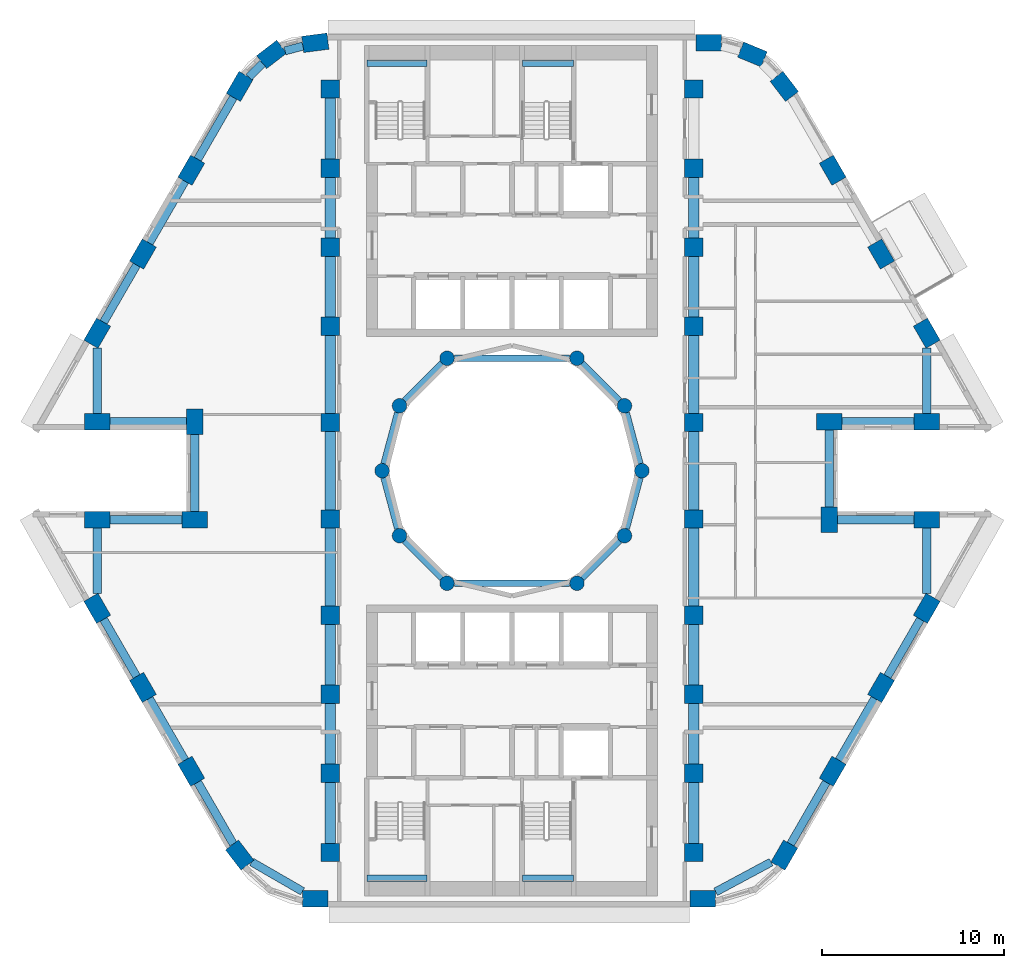
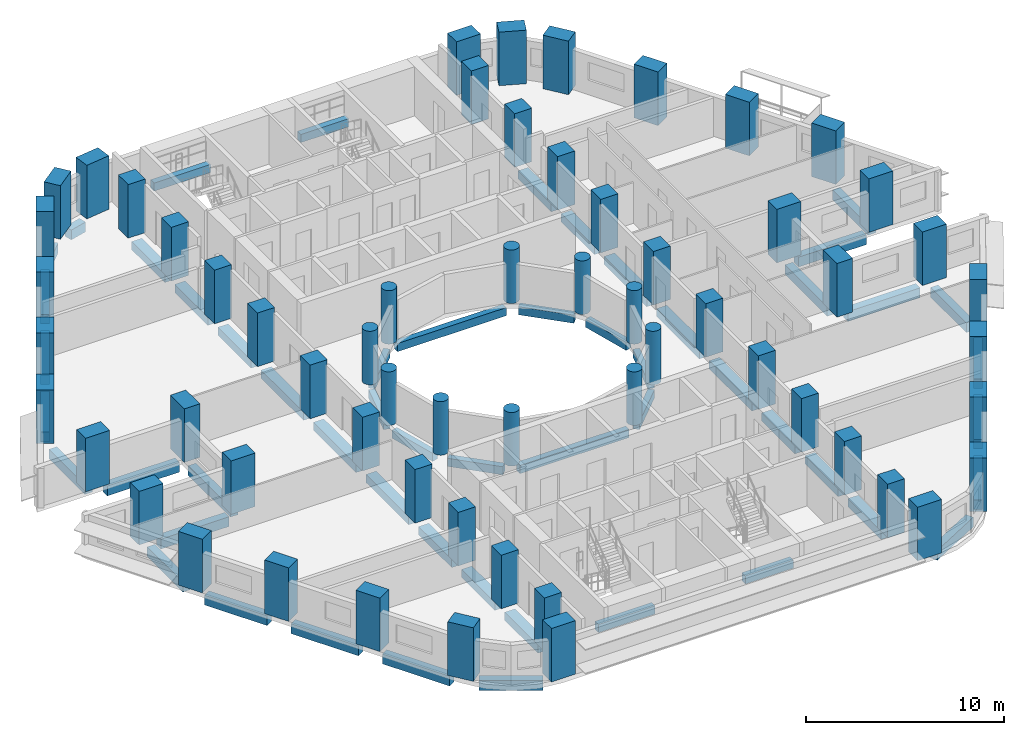
# One storey, part 1 of 13: 60 columns, 54 beams.
"""IFC4 building model written with IfcOpenShell, lengths in metres."""

from ifc_helpers import new_model, si_unit, direction, frame, origin, origin_2d, place, context, subcontext, project, spatial, rectangle, circle, extrude, material, material_profile, profile_set, type_object, element, save


model = new_model("IFC4")

# Units and contexts
model_context = context("Model", 3, precision=1e-05, world=origin(), true_north=direction((0.0, 1.0)))
body_context = subcontext(model_context, "Body", "Model", "MODEL_VIEW")
ifc_project = project(units=[si_unit("LENGTHUNIT", "METRE"), si_unit("AREAUNIT", "SQUARE_METRE"), si_unit("VOLUMEUNIT", "CUBIC_METRE"), si_unit("PLANEANGLEUNIT", "RADIAN"), si_unit("MASSUNIT", "GRAM", prefix="KILO")], contexts=[model_context])

# Site, building, storey
site_placement = place(None, origin())
site = spatial("IfcSite", under=ifc_project, at=site_placement, CompositionType="ELEMENT")
building_placement = place(site_placement, origin())
building = spatial("IfcBuilding", under=site, at=building_placement, Name="Nakaniwa Court", CompositionType="ELEMENT")
storey_placement = place(building_placement, frame((0.0, 0.0, 84.300048828125)))
storey = spatial("IfcBuildingStorey", under=building, at=storey_placement, Name="L21", CompositionType="ELEMENT", Elevation=84.300048828125)

# Columns
ifc_material = material(Name="Concrete C80/100", Category="concrete")
ifc_material_profile_1 = material_profile(ifc_material, rectangle(XDim=1.0, YDim=1.0, at=origin_2d()), Name="Concrete C80/100 RC 1000x1000 spine column")
ifc_profile_set_1 = profile_set([ifc_material_profile_1], Name="Concrete C80/100")
column_type_1 = type_object("IfcColumnType", Name="Concrete C80/100 RC 1000x1000 spine column", PredefinedType="COLUMN", material=ifc_profile_set_1)
for number, where, z_axis, x_axis, name in (
    (1, (90.0, 59.0, 0.0), (0.0, 0.0, 1.0), (0.0, 1.0, 0.0), "COLUMN CS-01"),
    (2, (90.0, 63.35009765625, 0.0), (0.0, 0.0, 1.0), (0.0, 1.0, 0.0), "COLUMN CS-02"),
    (3, (90.0, 67.699951171875, 0.0), (0.0, 0.0, 1.0), (0.0, 1.0, 0.0), "COLUMN CS-03"),
    (4, (90.0, 72.050048828125, 0.0), (0.0, 0.0, 1.0), (0.0, 1.0, 0.0), "COLUMN CS-04"),
    (5, (90.0, 77.35009765625, 0.0), (0.0, 0.0, 1.0), (0.0, 1.0, 0.0), "COLUMN CS-05"),
    (6, (90.0, 82.64990234375, 0.0), (0.0, 0.0, 1.0), (0.0, 1.0, 0.0), "COLUMN CS-06"),
    (7, (90.0, 87.949951171875, 0.0), (0.0, 0.0, 1.0), (0.0, 1.0, 0.0), "COLUMN CS-07"),
    (8, (90.0, 92.300048828125, 0.0), (0.0, 0.0, 1.0), (0.0, 1.0, 0.0), "COLUMN CS-08"),
    (9, (90.0, 96.64990234375, 0.0), (0.0, 0.0, 1.0), (0.0, 1.0, 0.0), "COLUMN CS-09"),
    (10, (90.0, 101.0, 0.0), (0.0, 0.0, 1.0), (0.0, 1.0, 0.0), "COLUMN CS-10"),
    (11, (70.0, 101.0, 0.0), (0.0, 0.0, 1.0), (0.0, -1.0, 0.0), "COLUMN CS-11"),
    (12, (70.0, 96.64990234375, 0.0), (0.0, 0.0, 1.0), (0.0, -1.0, 0.0), "COLUMN CS-12"),
    (13, (70.0, 92.300048828125, 0.0), (0.0, 0.0, 1.0), (0.0, -1.0, 0.0), "COLUMN CS-13"),
    (14, (70.0, 87.949951171875, 0.0), (0.0, 0.0, 1.0), (0.0, -1.0, 0.0), "COLUMN CS-14"),
    (15, (70.0, 82.64990234375, 0.0), (0.0, 0.0, 1.0), (0.0, -1.0, 0.0), "COLUMN CS-15"),
    (16, (70.0, 77.35009765625, 0.0), (0.0, 0.0, 1.0), (0.0, -1.0, 0.0), "COLUMN CS-16"),
    (17, (70.0, 72.050048828125, 0.0), (0.0, 0.0, 1.0), (0.0, -1.0, 0.0), "COLUMN CS-17"),
    (18, (70.0, 67.699951171875, 0.0), (0.0, 0.0, 1.0), (0.0, -1.0, 0.0), "COLUMN CS-18"),
    (19, (70.0, 63.35009765625, 0.0), (0.0, 0.0, 1.0), (0.0, -1.0, 0.0), "COLUMN CS-19"),
    (20, (70.0, 59.0, 0.0), (0.0, 0.0, 1.0), (0.0, -1.0, 0.0), "COLUMN CS-20"),
):
    element("IfcColumn", number, at=place(storey_placement, frame(where, z_axis=z_axis, x_axis=x_axis)), inside=storey, type_object=column_type_1, Name=name, PredefinedType="COLUMN", context=body_context, shape_type="SweptSolid", body=[
        extrude(rectangle(XDim=1.0, YDim=1.0, at=origin_2d()), origin(), (0.0, 0.0, 1.0), 3.300048828125),
    ])
ifc_material_profile_2 = material_profile(ifc_material, rectangle(XDim=1.39990234375, YDim=0.89990234375, at=origin_2d()), Name="Concrete C80/100 RC 1400x900 perimeter column")
ifc_profile_set_2 = profile_set([ifc_material_profile_2], Name="Concrete C80/100")
column_type_2 = type_object("IfcColumnType", Name="Concrete C80/100 RC 1400x900 perimeter column", PredefinedType="COLUMN", material=ifc_profile_set_2)
for number, where, z_axis, x_axis, name in (
    (21, (69.17529296875, 103.550048828125, 0.0), (0.0, 0.0, 1.0), (-0.991442583111, -0.130543496177, 0.0), "COLUMN CO-01"),
    (22, (66.772705078125, 102.91015625, 0.0), (0.0, 0.0, 1.0), (-0.793363965062, -0.608747582288, 0.0), "COLUMN CO-02"),
    (23, (65.017578125, 101.1494140625, 0.0), (0.0, 0.0, 1.0), (-0.5, -0.866025403784, 0.0), "COLUMN CO-03"),
    (24, (62.3544921875, 96.537109375, 0.0), (0.0, 0.0, 1.0), (-0.5, -0.866025403784, 0.0), "COLUMN CO-04"),
    (25, (59.691650390625, 91.9248046875, 0.0), (0.0, 0.0, 1.0), (-0.5, -0.866025403784, 0.0), "COLUMN CO-05"),
    (26, (57.177001953125, 87.569580078125, 0.0), (0.0, 0.0, 1.0), (-0.5, -0.866025403784, 0.0), "COLUMN CO-06"),
    (27, (57.177001953125, 82.699951171875, 0.0), (0.0, 0.0, 1.0), (1.0, 0.0, 0.0), "COLUMN CO-08"),
    (28, (62.54150390625, 82.699951171875, 0.0), (0.0, 0.0, 1.0), (0.0, -1.0, 0.0), "COLUMN CO-09"),
    (29, (62.54150390625, 77.300048828125, 0.0), (0.0, 0.0, 1.0), (-1.0, 0.0, 0.0), "COLUMN CO-10"),
    (30, (57.177001953125, 77.300048828125, 0.0), (0.0, 0.0, 1.0), (-1.0, 0.0, 0.0), "COLUMN CO-11"),
    (31, (57.177001953125, 72.430419921875, 0.0), (0.0, 0.0, 1.0), (0.5, -0.866025403784, 0.0), "COLUMN CO-13"),
    (32, (59.691650390625, 68.0751953125, 0.0), (0.0, 0.0, 1.0), (0.5, -0.866025403784, 0.0), "COLUMN CO-14"),
    (33, (62.3544921875, 63.462890625, 0.0), (0.0, 0.0, 1.0), (0.5, -0.866025403784, 0.0), "COLUMN CO-15"),
    (34, (65.017578125, 58.8505859375, 0.0), (0.0, 0.0, 1.0), (0.608761429009, -0.793353340291, 0.0), "COLUMN CO-16"),
    (35, (69.17529296875, 56.449951171875, 0.0), (0.0, 0.0, 1.0), (1.0, 0.0, 0.0), "COLUMN CO-17"),
    (36, (90.507080078125, 56.449951171875, 0.0), (0.0, 0.0, 1.0), (1.0, 0.0, 0.0), "COLUMN CO-21"),
    (37, (94.982421875, 58.8505859375, 0.0), (0.0, 0.0, 1.0), (0.5, 0.866025403784, 0.0), "COLUMN CO-22"),
    (38, (97.6455078125, 63.462890625, 0.0), (0.0, 0.0, 1.0), (0.5, 0.866025403784, 0.0), "COLUMN CO-23"),
    (39, (100.308349609375, 68.0751953125, 0.0), (0.0, 0.0, 1.0), (0.5, 0.866025403784, 0.0), "COLUMN CO-24"),
    (40, (102.822998046875, 72.430419921875, 0.0), (0.0, 0.0, 1.0), (0.5, 0.866025403784, 0.0), "COLUMN CO-25"),
    (41, (102.822998046875, 77.300048828125, 0.0), (0.0, 0.0, 1.0), (-1.0, 0.0, 0.0), "COLUMN CO-27"),
    (42, (97.45849609375, 77.300048828125, 0.0), (0.0, 0.0, 1.0), (0.0, 1.0, 0.0), "COLUMN CO-28"),
    (43, (97.45849609375, 82.699951171875, 0.0), (0.0, 0.0, 1.0), (1.0, 0.0, 0.0), "COLUMN CO-29"),
    (44, (102.822998046875, 82.699951171875, 0.0), (0.0, 0.0, 1.0), (1.0, 0.0, 0.0), "COLUMN CO-30"),
    (45, (102.822998046875, 87.569580078125, 0.0), (0.0, 0.0, 1.0), (-0.5, 0.866025403784, 0.0), "COLUMN CO-32"),
    (46, (100.308349609375, 91.9248046875, 0.0), (0.0, 0.0, 1.0), (-0.5, 0.866025403784, 0.0), "COLUMN CO-33"),
    (47, (97.6455078125, 96.537109375, 0.0), (0.0, 0.0, 1.0), (-0.5, 0.866025403784, 0.0), "COLUMN CO-34"),
    (48, (94.982421875, 101.1494140625, 0.0), (0.0, 0.0, 1.0), (-0.608761429009, 0.793353340291, 0.0), "COLUMN CO-35"),
    (49, (93.227294921875, 102.91015625, 0.0), (0.0, 0.0, 1.0), (-0.923879532511, 0.382683432365, 0.0), "COLUMN CO-36"),
    (50, (90.82470703125, 103.550048828125, 0.0), (0.0, 0.0, 1.0), (-1.0, 0.0, 0.0), "COLUMN CO-37"),
):
    element("IfcColumn", number, at=place(storey_placement, frame(where, z_axis=z_axis, x_axis=x_axis)), inside=storey, type_object=column_type_2, Name=name, PredefinedType="COLUMN", context=body_context, shape_type="SweptSolid", body=[
        extrude(rectangle(XDim=1.39990234375, YDim=0.89990234375, at=origin_2d()), origin(), (0.0, 0.0, 1.0), 3.300048828125),
    ])
ifc_material_profile_3 = material_profile(ifc_material, circle(Radius=0.39990234375, at=origin_2d()), Name="Concrete C80/100 RC D800 inner ring column")
ifc_profile_set_3 = profile_set([ifc_material_profile_3], Name="Concrete C80/100")
column_type_3 = type_object("IfcColumnType", Name="Concrete C80/100 RC D800 inner ring column", PredefinedType="COLUMN", material=ifc_profile_set_3)
for number, where, z_axis, x_axis, name in (
    (51, (87.14990234375, 80.0, 0.0), (0.0, 0.0, 1.0), (0.0, 1.0, 0.0), "COLUMN CI-01"),
    (52, (86.192138671875, 83.574951171875, 0.0), (0.0, 0.0, 1.0), (-0.5, 0.866025403784, 0.0), "COLUMN CI-02"),
    (53, (83.574951171875, 86.192138671875, 0.0), (0.0, 0.0, 1.0), (-0.866025403784, 0.5, 0.0), "COLUMN CI-03"),
    (54, (76.425048828125, 86.192138671875, 0.0), (0.0, 0.0, 1.0), (-0.866025403784, -0.5, 0.0), "COLUMN CI-05"),
    (55, (73.807861328125, 83.574951171875, 0.0), (0.0, 0.0, 1.0), (-0.5, -0.866025403784, 0.0), "COLUMN CI-06"),
    (56, (72.85009765625, 80.0, 0.0), (0.0, 0.0, 1.0), (0.0, -1.0, 0.0), "COLUMN CI-07"),
    (57, (73.807861328125, 76.425048828125, 0.0), (0.0, 0.0, 1.0), (0.5, -0.866025403784, 0.0), "COLUMN CI-08"),
    (58, (76.425048828125, 73.807861328125, 0.0), (0.0, 0.0, 1.0), (0.866025403784, -0.5, 0.0), "COLUMN CI-09"),
    (59, (83.574951171875, 73.807861328125, 0.0), (0.0, 0.0, 1.0), (0.866025403784, 0.5, 0.0), "COLUMN CI-11"),
    (60, (86.192138671875, 76.425048828125, 0.0), (0.0, 0.0, 1.0), (0.5, 0.866025403784, 0.0), "COLUMN CI-12"),
):
    element("IfcColumn", number, at=place(storey_placement, frame(where, z_axis=z_axis, x_axis=x_axis)), inside=storey, type_object=column_type_3, Name=name, PredefinedType="COLUMN", context=body_context, shape_type="SweptSolid", body=[
        extrude(circle(Radius=0.39990234375, at=origin_2d()), origin(), (0.0, 0.0, 1.0), 3.300048828125),
    ])

# Beams
ifc_material_profile_4 = material_profile(ifc_material, rectangle(XDim=0.35009765625, YDim=0.5, at=origin_2d()), Name="Concrete C80/100 RC 350x500 landing ledge beam")
ifc_profile_set_4 = profile_set([ifc_material_profile_4], Name="Concrete C80/100")
beam_type_1 = type_object("IfcBeamType", Name="Concrete C80/100 RC 350x500 landing ledge beam", PredefinedType="BEAM", material=ifc_profile_set_4)
beam_1_placement = place(storey_placement, frame((72.02490234375, 102.425048828125, 1.199951171875), z_axis=(1.0, 0.0, 0.0), x_axis=(0.0, 1.0, 0.0)))
element("IfcBeam", 61, at=beam_1_placement, inside=storey, type_object=beam_type_1, Name="LANDING LEDGE BEAM", PredefinedType="BEAM", context=body_context, shape_type="SweptSolid", body=[
    extrude(rectangle(XDim=0.35009765625, YDim=0.5, at=origin_2d()), origin(), (0.0, 0.0, 1.0), 3.300048828125),
])
beam_2_placement = place(storey_placement, frame((80.574951171875, 102.425048828125, 1.199951171875), z_axis=(1.0, 0.0, 0.0), x_axis=(0.0, 1.0, 0.0)))
element("IfcBeam", 62, at=beam_2_placement, inside=storey, type_object=beam_type_1, Name="LANDING LEDGE BEAM", PredefinedType="BEAM", context=body_context, shape_type="SweptSolid", body=[
    extrude(rectangle(XDim=0.35009765625, YDim=0.5, at=origin_2d()), origin(), (0.0, 0.0, 1.0), 2.800048828125),
])
beam_3_placement = place(storey_placement, frame((72.02490234375, 57.574951171875, 1.199951171875), z_axis=(1.0, 0.0, 0.0), x_axis=(0.0, 1.0, 0.0)))
element("IfcBeam", 63, at=beam_3_placement, inside=storey, type_object=beam_type_1, Name="LANDING LEDGE BEAM", PredefinedType="BEAM", context=body_context, shape_type="SweptSolid", body=[
    extrude(rectangle(XDim=0.35009765625, YDim=0.5, at=origin_2d()), origin(), (0.0, 0.0, 1.0), 3.300048828125),
])
beam_4_placement = place(storey_placement, frame((80.574951171875, 57.574951171875, 1.199951171875), z_axis=(1.0, 0.0, 0.0), x_axis=(0.0, 1.0, 0.0)))
element("IfcBeam", 64, at=beam_4_placement, inside=storey, type_object=beam_type_1, Name="LANDING LEDGE BEAM", PredefinedType="BEAM", context=body_context, shape_type="SweptSolid", body=[
    extrude(rectangle(XDim=0.35009765625, YDim=0.5, at=origin_2d()), origin(), (0.0, 0.0, 1.0), 2.800048828125),
])
ifc_material_profile_5 = material_profile(ifc_material, rectangle(XDim=0.35009765625, YDim=0.5, at=origin_2d()), Name="Concrete C80/100 RC 350x500 ring beam")
ifc_profile_set_5 = profile_set([ifc_material_profile_5], Name="Concrete C80/100")
beam_type_2 = type_object("IfcBeamType", Name="Concrete C80/100 RC 350x500 ring beam", PredefinedType="BEAM", material=ifc_profile_set_5)
beam_5_placement = place(storey_placement, frame((87.04638671875, 80.386474609375, -0.525146484375), z_axis=(-0.258778150207, 0.965936783115, 0.0), x_axis=(-0.965936783115, -0.258778150207, 0.0)))
element("IfcBeam", 65, at=beam_5_placement, inside=storey, type_object=beam_type_2, Name="RING BEAM", PredefinedType="BEAM", context=body_context, shape_type="SweptSolid", body=[
    extrude(rectangle(XDim=0.35009765625, YDim=0.5, at=origin_2d()), origin(), (0.0, 0.0, 1.0), 2.901123046875),
])
beam_6_placement = place(storey_placement, frame((85.9091796875, 83.85791015625, -0.525146484375), z_axis=(-0.707106781187, 0.707106781187, 0.0), x_axis=(-0.707106781187, -0.707106781187, 0.0)))
element("IfcBeam", 66, at=beam_6_placement, inside=storey, type_object=beam_type_2, Name="RING BEAM", PredefinedType="BEAM", context=body_context, shape_type="SweptSolid", body=[
    extrude(rectangle(XDim=0.35009765625, YDim=0.5, at=origin_2d()), origin(), (0.0, 0.0, 1.0), 2.90087890625),
])
beam_7_placement = place(storey_placement, frame((83.175048828125, 86.192138671875, -0.525146484375), z_axis=(-1.0, 0.0, 0.0), x_axis=(0.0, -1.0, 0.0)))
element("IfcBeam", 67, at=beam_7_placement, inside=storey, type_object=beam_type_2, Name="RING BEAM", PredefinedType="BEAM", context=body_context, shape_type="SweptSolid", body=[
    extrude(rectangle(XDim=0.35009765625, YDim=0.5, at=origin_2d()), origin(), (0.0, 0.0, 1.0), 6.35009765625),
])
beam_8_placement = place(storey_placement, frame((76.14208984375, 85.9091796875, -0.525146484375), z_axis=(-0.707106781187, -0.707106781187, 0.0), x_axis=(0.707106781187, -0.707106781187, 0.0)))
element("IfcBeam", 68, at=beam_8_placement, inside=storey, type_object=beam_type_2, Name="RING BEAM", PredefinedType="BEAM", context=body_context, shape_type="SweptSolid", body=[
    extrude(rectangle(XDim=0.35009765625, YDim=0.5, at=origin_2d()), origin(), (0.0, 0.0, 1.0), 2.90087890625),
])
for number, where, z_axis, x_axis, name in (
    (69, (73.704345703125, 83.188720703125, -0.525146484375), (-0.258778150207, -0.965936783115, 0.0), (0.965936783115, -0.258778150207, 0.0), "RING BEAM"),
    (70, (72.95361328125, 79.613525390625, -0.525146484375), (0.258778150207, -0.965936783115, 0.0), (0.965936783115, 0.258778150207, 0.0), "RING BEAM"),
):
    element("IfcBeam", number, at=place(storey_placement, frame(where, z_axis=z_axis, x_axis=x_axis)), inside=storey, type_object=beam_type_2, Name=name, PredefinedType="BEAM", context=body_context, shape_type="SweptSolid", body=[
        extrude(rectangle(XDim=0.35009765625, YDim=0.5, at=origin_2d()), origin(), (0.0, 0.0, 1.0), 2.901123046875),
    ])
beam_9_placement = place(storey_placement, frame((74.0908203125, 76.14208984375, -0.525146484375), z_axis=(0.707106781187, -0.707106781187, 0.0), x_axis=(0.707106781187, 0.707106781187, 0.0)))
element("IfcBeam", 71, at=beam_9_placement, inside=storey, type_object=beam_type_2, Name="RING BEAM", PredefinedType="BEAM", context=body_context, shape_type="SweptSolid", body=[
    extrude(rectangle(XDim=0.35009765625, YDim=0.5, at=origin_2d()), origin(), (0.0, 0.0, 1.0), 2.90087890625),
])
beam_10_placement = place(storey_placement, frame((76.824951171875, 73.807861328125, -0.525146484375), z_axis=(1.0, 0.0, 0.0), x_axis=(0.0, 1.0, 0.0)))
element("IfcBeam", 72, at=beam_10_placement, inside=storey, type_object=beam_type_2, Name="RING BEAM", PredefinedType="BEAM", context=body_context, shape_type="SweptSolid", body=[
    extrude(rectangle(XDim=0.35009765625, YDim=0.5, at=origin_2d()), origin(), (0.0, 0.0, 1.0), 6.35009765625),
])
beam_11_placement = place(storey_placement, frame((83.85791015625, 74.0908203125, -0.525146484375), z_axis=(0.707106781187, 0.707106781187, 0.0), x_axis=(-0.707106781187, 0.707106781187, 0.0)))
element("IfcBeam", 73, at=beam_11_placement, inside=storey, type_object=beam_type_2, Name="RING BEAM", PredefinedType="BEAM", context=body_context, shape_type="SweptSolid", body=[
    extrude(rectangle(XDim=0.35009765625, YDim=0.5, at=origin_2d()), origin(), (0.0, 0.0, 1.0), 2.90087890625),
])
beam_12_placement = place(storey_placement, frame((86.295654296875, 76.811279296875, -0.525146484375), z_axis=(0.258778150207, 0.965936783115, 0.0), x_axis=(-0.965936783115, 0.258778150207, 0.0)))
element("IfcBeam", 74, at=beam_12_placement, inside=storey, type_object=beam_type_2, Name="RING BEAM", PredefinedType="BEAM", context=body_context, shape_type="SweptSolid", body=[
    extrude(rectangle(XDim=0.35009765625, YDim=0.5, at=origin_2d()), origin(), (0.0, 0.0, 1.0), 2.901123046875),
])
ifc_material_profile_6 = material_profile(ifc_material, rectangle(XDim=0.449951171875, YDim=0.60009765625, at=origin_2d()), Name="Concrete C80/100 RC 450x600 spandrel beam")
ifc_profile_set_6 = profile_set([ifc_material_profile_6], Name="Concrete C80/100")
beam_type_3 = type_object("IfcBeamType", Name="Concrete C80/100 RC 450x600 spandrel beam", PredefinedType="BEAM", material=ifc_profile_set_6)
beam_13_placement = place(storey_placement, frame((68.4931640625, 103.368408203125, -0.574951171875), z_axis=(-0.966290412053, -0.257454538851, 0.0), x_axis=(0.257454538851, -0.966290412053, 0.0)))
element("IfcBeam", 75, at=beam_13_placement, inside=storey, type_object=beam_type_3, Name="SPANDREL BEAM", PredefinedType="BEAM", context=body_context, shape_type="SweptSolid", body=[
    extrude(rectangle(XDim=0.449951171875, YDim=0.60009765625, at=origin_2d()), origin(), (0.0, 0.0, 1.0), 1.022216796875),
])
beam_14_placement = place(storey_placement, frame((66.274169921875, 102.41015625, -0.574951171875), z_axis=(-0.70606530329, -0.708146727374, 0.0), x_axis=(0.708146727374, -0.70606530329, 0.0)))
element("IfcBeam", 76, at=beam_14_placement, inside=storey, type_object=beam_type_3, Name="SPANDREL BEAM", PredefinedType="BEAM", context=body_context, shape_type="SweptSolid", body=[
    extrude(rectangle(XDim=0.449951171875, YDim=0.60009765625, at=origin_2d()), origin(), (0.0, 0.0, 1.0), 1.0556640625),
])
for number, where, z_axis, x_axis, name in (
    (77, (64.66748046875, 100.543212890625, -0.574951171875), (-0.49999161165, -0.866030246746, 0.0), (0.866030246746, -0.49999161165, 0.0), "SPANDREL BEAM"),
    (78, (62.00439453125, 95.930908203125, -0.574951171875), (-0.49999161165, -0.866030246746, 0.0), (0.866030246746, -0.49999161165, 0.0), "SPANDREL BEAM"),
):
    element("IfcBeam", number, at=place(storey_placement, frame(where, z_axis=z_axis, x_axis=x_axis)), inside=storey, type_object=beam_type_3, Name=name, PredefinedType="BEAM", context=body_context, shape_type="SweptSolid", body=[
        extrude(rectangle(XDim=0.449951171875, YDim=0.60009765625, at=origin_2d()), origin(), (0.0, 0.0, 1.0), 3.92578125),
    ])
beam_15_placement = place(storey_placement, frame((59.341552734375, 91.318603515625, -0.574951171875), z_axis=(-0.499988394233, -0.866032104273, 0.0), x_axis=(0.866032104273, -0.499988394233, 0.0)))
element("IfcBeam", 79, at=beam_15_placement, inside=storey, type_object=beam_type_3, Name="SPANDREL BEAM", PredefinedType="BEAM", context=body_context, shape_type="SweptSolid", body=[
    extrude(rectangle(XDim=0.449951171875, YDim=0.60009765625, at=origin_2d()), origin(), (0.0, 0.0, 1.0), 3.62890625),
])
beam_16_placement = place(storey_placement, frame((57.177001953125, 86.761474609375, -0.574951171875), z_axis=(0.0, -1.0, 0.0), x_axis=(1.0, 0.0, 0.0)))
element("IfcBeam", 80, at=beam_16_placement, inside=storey, type_object=beam_type_3, Name="SPANDREL BEAM", PredefinedType="BEAM", context=body_context, shape_type="SweptSolid", body=[
    extrude(rectangle(XDim=0.449951171875, YDim=0.60009765625, at=origin_2d()), origin(), (0.0, 0.0, 1.0), 3.611572265625),
])
beam_17_placement = place(storey_placement, frame((57.877197265625, 82.699951171875, -0.574951171875), z_axis=(1.0, 0.0, 0.0), x_axis=(0.0, 1.0, 0.0)))
element("IfcBeam", 81, at=beam_17_placement, inside=storey, type_object=beam_type_3, Name="SPANDREL BEAM", PredefinedType="BEAM", context=body_context, shape_type="SweptSolid", body=[
    extrude(rectangle(XDim=0.449951171875, YDim=0.60009765625, at=origin_2d()), origin(), (0.0, 0.0, 1.0), 4.21435546875),
])
beam_18_placement = place(storey_placement, frame((62.54150390625, 82.0, -0.574951171875), z_axis=(0.0, -1.0, 0.0), x_axis=(1.0, 0.0, 0.0)))
element("IfcBeam", 82, at=beam_18_placement, inside=storey, type_object=beam_type_3, Name="SPANDREL BEAM", PredefinedType="BEAM", context=body_context, shape_type="SweptSolid", body=[
    extrude(rectangle(XDim=0.449951171875, YDim=0.60009765625, at=origin_2d()), origin(), (0.0, 0.0, 1.0), 4.25),
])
beam_19_placement = place(storey_placement, frame((61.841552734375, 77.300048828125, -0.574951171875), z_axis=(-1.0, 0.0, 0.0), x_axis=(0.0, -1.0, 0.0)))
element("IfcBeam", 83, at=beam_19_placement, inside=storey, type_object=beam_type_3, Name="SPANDREL BEAM", PredefinedType="BEAM", context=body_context, shape_type="SweptSolid", body=[
    extrude(rectangle(XDim=0.449951171875, YDim=0.60009765625, at=origin_2d()), origin(), (0.0, 0.0, 1.0), 3.96435546875),
])
beam_20_placement = place(storey_placement, frame((57.177001953125, 76.85009765625, -0.574951171875), z_axis=(0.0, -1.0, 0.0), x_axis=(1.0, 0.0, 0.0)))
element("IfcBeam", 84, at=beam_20_placement, inside=storey, type_object=beam_type_3, Name="SPANDREL BEAM", PredefinedType="BEAM", context=body_context, shape_type="SweptSolid", body=[
    extrude(rectangle(XDim=0.449951171875, YDim=0.60009765625, at=origin_2d()), origin(), (0.0, 0.0, 1.0), 3.611572265625),
])
beam_21_placement = place(storey_placement, frame((57.527099609375, 71.82421875, -0.574951171875), z_axis=(0.499988394233, -0.866032104273, 0.0), x_axis=(0.866032104273, 0.499988394233, 0.0)))
element("IfcBeam", 85, at=beam_21_placement, inside=storey, type_object=beam_type_3, Name="SPANDREL BEAM", PredefinedType="BEAM", context=body_context, shape_type="SweptSolid", body=[
    extrude(rectangle(XDim=0.449951171875, YDim=0.60009765625, at=origin_2d()), origin(), (0.0, 0.0, 1.0), 3.62890625),
])
beam_22_placement = place(storey_placement, frame((60.04150390625, 67.468994140625, -0.574951171875), z_axis=(0.49999161165, -0.866030246746, 0.0), x_axis=(0.866030246746, 0.49999161165, 0.0)))
element("IfcBeam", 86, at=beam_22_placement, inside=storey, type_object=beam_type_3, Name="SPANDREL BEAM", PredefinedType="BEAM", context=body_context, shape_type="SweptSolid", body=[
    extrude(rectangle(XDim=0.449951171875, YDim=0.60009765625, at=origin_2d()), origin(), (0.0, 0.0, 1.0), 3.92578125),
])
beam_23_placement = place(storey_placement, frame((62.70458984375, 62.856689453125, -0.574951171875), z_axis=(0.499997407846, -0.86602690036, 0.0), x_axis=(0.86602690036, 0.499997407846, 0.0)))
element("IfcBeam", 87, at=beam_23_placement, inside=storey, type_object=beam_type_3, Name="SPANDREL BEAM", PredefinedType="BEAM", context=body_context, shape_type="SweptSolid", body=[
    extrude(rectangle(XDim=0.449951171875, YDim=0.60009765625, at=origin_2d()), origin(), (0.0, 0.0, 1.0), 3.919921875),
])
beam_24_placement = place(storey_placement, frame((65.673583984375, 58.4716796875, -0.574951171875), z_axis=(0.866014675542, -0.5000185814, 0.0), x_axis=(0.5000185814, 0.866014675542, 0.0)))
element("IfcBeam", 88, at=beam_24_placement, inside=storey, type_object=beam_type_3, Name="SPANDREL BEAM", PredefinedType="BEAM", context=body_context, shape_type="SweptSolid", body=[
    extrude(rectangle(XDim=0.449951171875, YDim=0.60009765625, at=origin_2d()), origin(), (0.0, 0.0, 1.0), 3.2353515625),
])
beam_25_placement = place(storey_placement, frame((91.20703125, 56.825439453125, -0.574951171875), z_axis=(0.881233381314, 0.472681423009, 0.0), x_axis=(-0.472681423009, 0.881233381314, 0.0)))
element("IfcBeam", 89, at=beam_25_placement, inside=storey, type_object=beam_type_3, Name="SPANDREL BEAM", PredefinedType="BEAM", context=body_context, shape_type="SweptSolid", body=[
    extrude(rectangle(XDim=0.449951171875, YDim=0.60009765625, at=origin_2d()), origin(), (0.0, 0.0, 1.0), 3.46044921875),
])
for number, where, z_axis, x_axis, name in (
    (90, (95.33251953125, 59.456787109375, -0.574951171875), (0.49999161165, 0.866030246746, 0.0), (-0.866030246746, 0.49999161165, 0.0), "SPANDREL BEAM"),
    (91, (97.99560546875, 64.069091796875, -0.574951171875), (0.49999161165, 0.866030246746, 0.0), (-0.866030246746, 0.49999161165, 0.0), "SPANDREL BEAM"),
):
    element("IfcBeam", number, at=place(storey_placement, frame(where, z_axis=z_axis, x_axis=x_axis)), inside=storey, type_object=beam_type_3, Name=name, PredefinedType="BEAM", context=body_context, shape_type="SweptSolid", body=[
        extrude(rectangle(XDim=0.449951171875, YDim=0.60009765625, at=origin_2d()), origin(), (0.0, 0.0, 1.0), 3.92578125),
    ])
beam_26_placement = place(storey_placement, frame((100.658447265625, 68.681396484375, -0.574951171875), z_axis=(0.499988394233, 0.866032104273, 0.0), x_axis=(-0.866032104273, 0.499988394233, 0.0)))
element("IfcBeam", 92, at=beam_26_placement, inside=storey, type_object=beam_type_3, Name="SPANDREL BEAM", PredefinedType="BEAM", context=body_context, shape_type="SweptSolid", body=[
    extrude(rectangle(XDim=0.449951171875, YDim=0.60009765625, at=origin_2d()), origin(), (0.0, 0.0, 1.0), 3.62890625),
])
beam_27_placement = place(storey_placement, frame((102.822998046875, 73.238525390625, -0.574951171875), z_axis=(0.0, 1.0, 0.0), x_axis=(-1.0, 0.0, 0.0)))
element("IfcBeam", 93, at=beam_27_placement, inside=storey, type_object=beam_type_3, Name="SPANDREL BEAM", PredefinedType="BEAM", context=body_context, shape_type="SweptSolid", body=[
    extrude(rectangle(XDim=0.449951171875, YDim=0.60009765625, at=origin_2d()), origin(), (0.0, 0.0, 1.0), 3.611572265625),
])
beam_28_placement = place(storey_placement, frame((102.122802734375, 77.300048828125, -0.574951171875), z_axis=(-1.0, 0.0, 0.0), x_axis=(0.0, -1.0, 0.0)))
element("IfcBeam", 94, at=beam_28_placement, inside=storey, type_object=beam_type_3, Name="SPANDREL BEAM", PredefinedType="BEAM", context=body_context, shape_type="SweptSolid", body=[
    extrude(rectangle(XDim=0.449951171875, YDim=0.60009765625, at=origin_2d()), origin(), (0.0, 0.0, 1.0), 4.21435546875),
])
beam_29_placement = place(storey_placement, frame((97.45849609375, 78.0, -0.574951171875), z_axis=(0.0, 1.0, 0.0), x_axis=(-1.0, 0.0, 0.0)))
element("IfcBeam", 95, at=beam_29_placement, inside=storey, type_object=beam_type_3, Name="SPANDREL BEAM", PredefinedType="BEAM", context=body_context, shape_type="SweptSolid", body=[
    extrude(rectangle(XDim=0.449951171875, YDim=0.60009765625, at=origin_2d()), origin(), (0.0, 0.0, 1.0), 4.25),
])
beam_30_placement = place(storey_placement, frame((98.158447265625, 82.699951171875, -0.574951171875), z_axis=(1.0, 0.0, 0.0), x_axis=(0.0, 1.0, 0.0)))
element("IfcBeam", 96, at=beam_30_placement, inside=storey, type_object=beam_type_3, Name="SPANDREL BEAM", PredefinedType="BEAM", context=body_context, shape_type="SweptSolid", body=[
    extrude(rectangle(XDim=0.449951171875, YDim=0.60009765625, at=origin_2d()), origin(), (0.0, 0.0, 1.0), 3.96435546875),
])
beam_31_placement = place(storey_placement, frame((102.822998046875, 83.14990234375, -0.574951171875), z_axis=(0.0, 1.0, 0.0), x_axis=(-1.0, 0.0, 0.0)))
element("IfcBeam", 97, at=beam_31_placement, inside=storey, type_object=beam_type_3, Name="SPANDREL BEAM", PredefinedType="BEAM", context=body_context, shape_type="SweptSolid", body=[
    extrude(rectangle(XDim=0.449951171875, YDim=0.60009765625, at=origin_2d()), origin(), (0.0, 0.0, 1.0), 3.611572265625),
])
ifc_material_profile_7 = material_profile(ifc_material, rectangle(XDim=0.60009765625, YDim=0.5, at=origin_2d()), Name="Concrete C80/100 RC 600x500 ring beam")
ifc_profile_set_7 = profile_set([ifc_material_profile_7], Name="Concrete C80/100")
beam_type_4 = type_object("IfcBeamType", Name="Concrete C80/100 RC 600x500 ring beam", PredefinedType="BEAM", material=ifc_profile_set_7)
beam_32_placement = place(storey_placement, frame((90.0, 59.5, -0.525146484375), z_axis=(0.0, 1.0, 0.0), x_axis=(-1.0, 0.0, 0.0)))
element("IfcBeam", 98, at=beam_32_placement, inside=storey, type_object=beam_type_4, Name="RING BEAM", PredefinedType="BEAM", context=body_context, shape_type="SweptSolid", body=[
    extrude(rectangle(XDim=0.60009765625, YDim=0.5, at=origin_2d()), origin(), (0.0, 0.0, 1.0), 3.35009765625),
])
beam_33_placement = place(storey_placement, frame((90.0, 63.85009765625, -0.525146484375), z_axis=(0.0, 1.0, 0.0), x_axis=(-1.0, 0.0, 0.0)))
element("IfcBeam", 99, at=beam_33_placement, inside=storey, type_object=beam_type_4, Name="RING BEAM", PredefinedType="BEAM", context=body_context, shape_type="SweptSolid", body=[
    extrude(rectangle(XDim=0.60009765625, YDim=0.5, at=origin_2d()), origin(), (0.0, 0.0, 1.0), 3.349853515625),
])
beam_34_placement = place(storey_placement, frame((90.0, 68.199951171875, -0.525146484375), z_axis=(0.0, 1.0, 0.0), x_axis=(-1.0, 0.0, 0.0)))
element("IfcBeam", 100, at=beam_34_placement, inside=storey, type_object=beam_type_4, Name="RING BEAM", PredefinedType="BEAM", context=body_context, shape_type="SweptSolid", body=[
    extrude(rectangle(XDim=0.60009765625, YDim=0.5, at=origin_2d()), origin(), (0.0, 0.0, 1.0), 3.35009765625),
])
beam_35_placement = place(storey_placement, frame((90.0, 72.550048828125, -0.525146484375), z_axis=(0.0, 1.0, 0.0), x_axis=(-1.0, 0.0, 0.0)))
element("IfcBeam", 101, at=beam_35_placement, inside=storey, type_object=beam_type_4, Name="RING BEAM", PredefinedType="BEAM", context=body_context, shape_type="SweptSolid", body=[
    extrude(rectangle(XDim=0.60009765625, YDim=0.5, at=origin_2d()), origin(), (0.0, 0.0, 1.0), 4.300048828125),
])
beam_36_placement = place(storey_placement, frame((90.0, 77.85009765625, -0.525146484375), z_axis=(0.0, 1.0, 0.0), x_axis=(-1.0, 0.0, 0.0)))
element("IfcBeam", 102, at=beam_36_placement, inside=storey, type_object=beam_type_4, Name="RING BEAM", PredefinedType="BEAM", context=body_context, shape_type="SweptSolid", body=[
    extrude(rectangle(XDim=0.60009765625, YDim=0.5, at=origin_2d()), origin(), (0.0, 0.0, 1.0), 4.2998046875),
])
beam_37_placement = place(storey_placement, frame((90.0, 83.14990234375, -0.525146484375), z_axis=(0.0, 1.0, 0.0), x_axis=(-1.0, 0.0, 0.0)))
element("IfcBeam", 103, at=beam_37_placement, inside=storey, type_object=beam_type_4, Name="RING BEAM", PredefinedType="BEAM", context=body_context, shape_type="SweptSolid", body=[
    extrude(rectangle(XDim=0.60009765625, YDim=0.5, at=origin_2d()), origin(), (0.0, 0.0, 1.0), 4.300048828125),
])
beam_38_placement = place(storey_placement, frame((90.0, 88.449951171875, -0.525146484375), z_axis=(0.0, 1.0, 0.0), x_axis=(-1.0, 0.0, 0.0)))
element("IfcBeam", 104, at=beam_38_placement, inside=storey, type_object=beam_type_4, Name="RING BEAM", PredefinedType="BEAM", context=body_context, shape_type="SweptSolid", body=[
    extrude(rectangle(XDim=0.60009765625, YDim=0.5, at=origin_2d()), origin(), (0.0, 0.0, 1.0), 3.35009765625),
])
beam_39_placement = place(storey_placement, frame((90.0, 92.800048828125, -0.525146484375), z_axis=(0.0, 1.0, 0.0), x_axis=(-1.0, 0.0, 0.0)))
element("IfcBeam", 105, at=beam_39_placement, inside=storey, type_object=beam_type_4, Name="RING BEAM", PredefinedType="BEAM", context=body_context, shape_type="SweptSolid", body=[
    extrude(rectangle(XDim=0.60009765625, YDim=0.5, at=origin_2d()), origin(), (0.0, 0.0, 1.0), 3.349853515625),
])
beam_40_placement = place(storey_placement, frame((70.0, 100.5, -0.525146484375), z_axis=(0.0, -1.0, 0.0), x_axis=(1.0, 0.0, 0.0)))
element("IfcBeam", 106, at=beam_40_placement, inside=storey, type_object=beam_type_4, Name="RING BEAM", PredefinedType="BEAM", context=body_context, shape_type="SweptSolid", body=[
    extrude(rectangle(XDim=0.60009765625, YDim=0.5, at=origin_2d()), origin(), (0.0, 0.0, 1.0), 3.35009765625),
])
beam_41_placement = place(storey_placement, frame((70.0, 96.14990234375, -0.525146484375), z_axis=(0.0, -1.0, 0.0), x_axis=(1.0, 0.0, 0.0)))
element("IfcBeam", 107, at=beam_41_placement, inside=storey, type_object=beam_type_4, Name="RING BEAM", PredefinedType="BEAM", context=body_context, shape_type="SweptSolid", body=[
    extrude(rectangle(XDim=0.60009765625, YDim=0.5, at=origin_2d()), origin(), (0.0, 0.0, 1.0), 3.349853515625),
])
beam_42_placement = place(storey_placement, frame((70.0, 91.800048828125, -0.525146484375), z_axis=(0.0, -1.0, 0.0), x_axis=(1.0, 0.0, 0.0)))
element("IfcBeam", 108, at=beam_42_placement, inside=storey, type_object=beam_type_4, Name="RING BEAM", PredefinedType="BEAM", context=body_context, shape_type="SweptSolid", body=[
    extrude(rectangle(XDim=0.60009765625, YDim=0.5, at=origin_2d()), origin(), (0.0, 0.0, 1.0), 3.35009765625),
])
beam_43_placement = place(storey_placement, frame((70.0, 87.449951171875, -0.525146484375), z_axis=(0.0, -1.0, 0.0), x_axis=(1.0, 0.0, 0.0)))
element("IfcBeam", 109, at=beam_43_placement, inside=storey, type_object=beam_type_4, Name="RING BEAM", PredefinedType="BEAM", context=body_context, shape_type="SweptSolid", body=[
    extrude(rectangle(XDim=0.60009765625, YDim=0.5, at=origin_2d()), origin(), (0.0, 0.0, 1.0), 4.300048828125),
])
beam_44_placement = place(storey_placement, frame((70.0, 82.14990234375, -0.525146484375), z_axis=(0.0, -1.0, 0.0), x_axis=(1.0, 0.0, 0.0)))
element("IfcBeam", 110, at=beam_44_placement, inside=storey, type_object=beam_type_4, Name="RING BEAM", PredefinedType="BEAM", context=body_context, shape_type="SweptSolid", body=[
    extrude(rectangle(XDim=0.60009765625, YDim=0.5, at=origin_2d()), origin(), (0.0, 0.0, 1.0), 4.2998046875),
])
beam_45_placement = place(storey_placement, frame((70.0, 76.85009765625, -0.525146484375), z_axis=(0.0, -1.0, 0.0), x_axis=(1.0, 0.0, 0.0)))
element("IfcBeam", 111, at=beam_45_placement, inside=storey, type_object=beam_type_4, Name="RING BEAM", PredefinedType="BEAM", context=body_context, shape_type="SweptSolid", body=[
    extrude(rectangle(XDim=0.60009765625, YDim=0.5, at=origin_2d()), origin(), (0.0, 0.0, 1.0), 4.300048828125),
])
beam_46_placement = place(storey_placement, frame((70.0, 71.550048828125, -0.525146484375), z_axis=(0.0, -1.0, 0.0), x_axis=(1.0, 0.0, 0.0)))
element("IfcBeam", 112, at=beam_46_placement, inside=storey, type_object=beam_type_4, Name="RING BEAM", PredefinedType="BEAM", context=body_context, shape_type="SweptSolid", body=[
    extrude(rectangle(XDim=0.60009765625, YDim=0.5, at=origin_2d()), origin(), (0.0, 0.0, 1.0), 3.35009765625),
])
beam_47_placement = place(storey_placement, frame((70.0, 67.199951171875, -0.525146484375), z_axis=(0.0, -1.0, 0.0), x_axis=(1.0, 0.0, 0.0)))
element("IfcBeam", 113, at=beam_47_placement, inside=storey, type_object=beam_type_4, Name="RING BEAM", PredefinedType="BEAM", context=body_context, shape_type="SweptSolid", body=[
    extrude(rectangle(XDim=0.60009765625, YDim=0.5, at=origin_2d()), origin(), (0.0, 0.0, 1.0), 3.349853515625),
])
beam_48_placement = place(storey_placement, frame((70.0, 62.85009765625, -0.525146484375), z_axis=(0.0, -1.0, 0.0), x_axis=(1.0, 0.0, 0.0)))
element("IfcBeam", 114, at=beam_48_placement, inside=storey, type_object=beam_type_4, Name="RING BEAM", PredefinedType="BEAM", context=body_context, shape_type="SweptSolid", body=[
    extrude(rectangle(XDim=0.60009765625, YDim=0.5, at=origin_2d()), origin(), (0.0, 0.0, 1.0), 3.35009765625),
])

save(model, "model.ifc")
